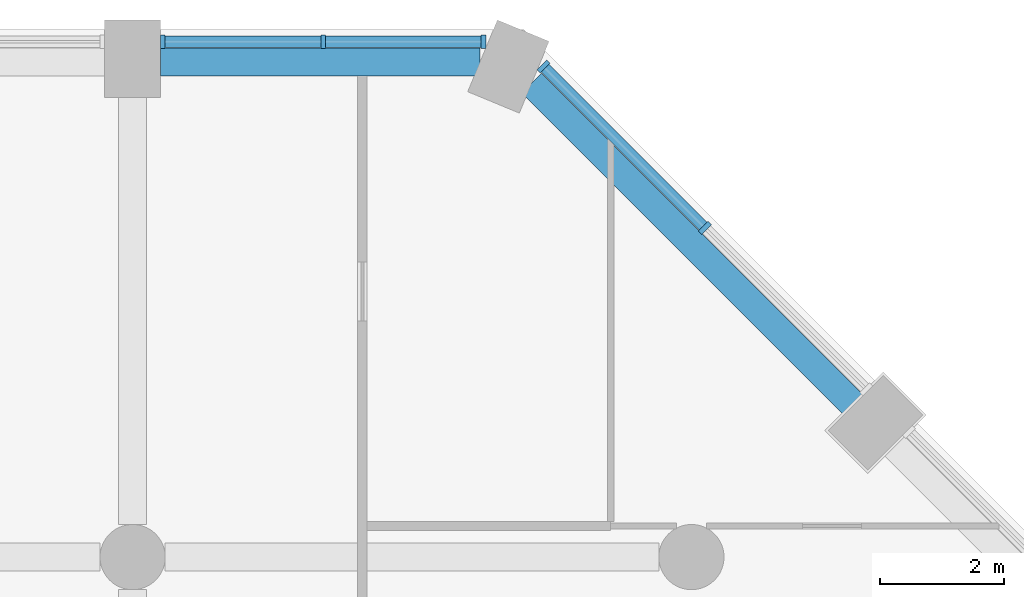
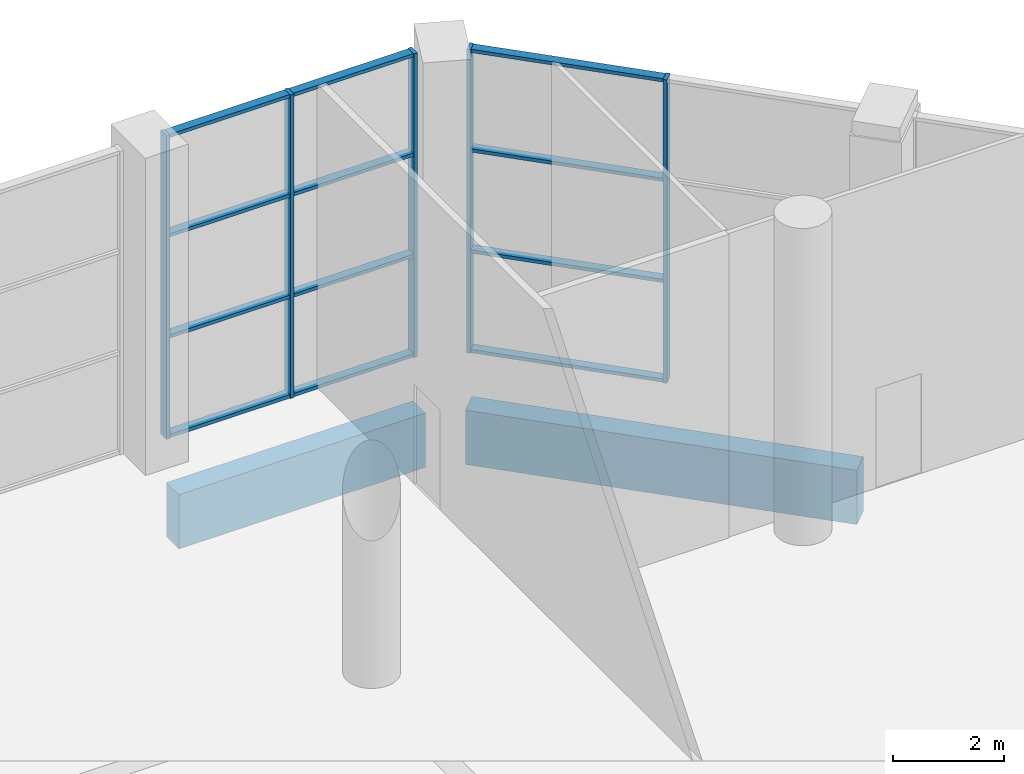
# One storey, part 8 of 22: 17 members, 2 beams, 2 elements without a shape of their own.
"""IFC4 building model written with IfcOpenShell, lengths in metres."""

from ifc_helpers import new_model, si_unit, direction, frame, origin, origin_2d, place, context, subcontext, project, spatial, rectangle, extrude, material, material_profile, profile_set, type_object, element, aggregate, save


model = new_model("IFC4")

# Units and contexts
model_context = context("Model", 3, precision=1e-05, world=origin(), true_north=direction((0.0, 1.0)))
body_context = subcontext(model_context, "Body", "Model", "MODEL_VIEW")
ifc_project = project(units=[si_unit("LENGTHUNIT", "METRE"), si_unit("AREAUNIT", "SQUARE_METRE"), si_unit("VOLUMEUNIT", "CUBIC_METRE"), si_unit("PLANEANGLEUNIT", "RADIAN"), si_unit("MASSUNIT", "GRAM", prefix="KILO")], contexts=[model_context])

# Site, building, storey
site_placement = place(None, origin())
site = spatial("IfcSite", under=ifc_project, at=site_placement, CompositionType="ELEMENT")
building_placement = place(site_placement, origin())
building = spatial("IfcBuilding", under=site, at=building_placement, Name="Cypress Arch Tower", CompositionType="ELEMENT")
storey_placement = place(building_placement, frame((0.0, 0.0, 145.5)))
storey = spatial("IfcBuildingStorey", under=building, at=storey_placement, Name="L32", CompositionType="ELEMENT", Elevation=145.5)

# Curtain wall, members
ifc_material_1 = material(Name="Anodised aluminium, bronze finish, solar control laminated double glazing", Category="aluminium")
curtain_wall_type = type_object("IfcCurtainWallType", Name="Curtain wall CW3 sky lobby glazing", PredefinedType="NOTDEFINED", material=ifc_material_1)
curtain_wall_1_placement = place(storey_placement, origin())
curtain_wall_1 = element("IfcCurtainWall", 1, at=curtain_wall_1_placement, inside=storey, type_object=curtain_wall_type, Name="Curtain wall L32 A07.1.1", PredefinedType="NOTDEFINED")
ifc_material_2 = material(Name="Anodised aluminium, bronze finish", Category="aluminium")
ifc_material_profile_1 = material_profile(ifc_material_2, rectangle(XDim=0.219970703125, YDim=0.074951171875, at=origin_2d()), Name="Mullion 75x220")
ifc_profile_set_1 = profile_set([ifc_material_profile_1], Name="Anodised aluminium, bronze finish")
member_type_1 = type_object("IfcMemberType", Name="Mullion CW3 75x220", PredefinedType="MULLION", material=ifc_profile_set_1)
member_1_placement = place(storey_placement, frame((15.515625, 22.801513671875, 0.0), z_axis=(0.0, 0.0, 1.0), x_axis=(-0.70710671384, -0.707106848533, 0.0)))
member_1 = element("IfcMember", 2, at=member_1_placement, type_object=member_type_1, Name="CW3 mullion 2", PredefinedType="MULLION", context=body_context, shape_type="SweptSolid", body=[
    extrude(rectangle(XDim=0.219970703125, YDim=0.074951171875, at=origin_2d()), origin(), (0.0, 0.0, 1.0), 6.699951171875),
])
member_2_placement = place(storey_placement, frame((12.91748046875, 25.39990234375, 0.0), z_axis=(0.0, 0.0, 1.0), x_axis=(-0.70710671384, -0.707106848533, 0.0)))
member_2 = element("IfcMember", 3, at=member_2_placement, type_object=member_type_1, Name="CW3 mullion 3", PredefinedType="MULLION", context=body_context, shape_type="SweptSolid", body=[
    extrude(rectangle(XDim=0.219970703125, YDim=0.074951171875, at=origin_2d()), origin(), (0.0, 0.0, 1.0), 6.699951171875),
])

curtain_wall_2_placement = place(storey_placement, origin())
curtain_wall_2 = element("IfcCurtainWall", 4, at=curtain_wall_2_placement, inside=storey, type_object=curtain_wall_type, Name="Curtain wall L32 A08.0.1", PredefinedType="NOTDEFINED")
member_3_placement = place(storey_placement, frame((11.951171875, 25.800048828125, 0.0), z_axis=(0.0, 0.0, 1.0), x_axis=(0.0, -1.0, 0.0)))
member_3 = element("IfcMember", 5, at=member_3_placement, type_object=member_type_1, Name="CW3 mullion 1", PredefinedType="MULLION", context=body_context, shape_type="SweptSolid", body=[
    extrude(rectangle(XDim=0.219970703125, YDim=0.074951171875, at=origin_2d()), origin(), (0.0, 0.0, 1.0), 6.699951171875),
])
member_4_placement = place(storey_placement, frame((9.369384765625, 25.800048828125, 0.0), z_axis=(0.0, 0.0, 1.0), x_axis=(0.0, -1.0, 0.0)))
member_4 = element("IfcMember", 6, at=member_4_placement, type_object=member_type_1, Name="CW3 mullion 2", PredefinedType="MULLION", context=body_context, shape_type="SweptSolid", body=[
    extrude(rectangle(XDim=0.219970703125, YDim=0.074951171875, at=origin_2d()), origin(), (0.0, 0.0, 1.0), 6.699951171875),
])
member_5_placement = place(storey_placement, frame((6.78759765625, 25.800048828125, 0.0), z_axis=(0.0, 0.0, 1.0), x_axis=(0.0, -1.0, 0.0)))
member_5 = element("IfcMember", 7, at=member_5_placement, type_object=member_type_1, Name="CW3 mullion 3", PredefinedType="MULLION", context=body_context, shape_type="SweptSolid", body=[
    extrude(rectangle(XDim=0.219970703125, YDim=0.074951171875, at=origin_2d()), origin(), (0.0, 0.0, 1.0), 6.699951171875),
])

# Beams
ifc_material_3 = material(Name="Concrete C50/60", Category="concrete")
ifc_material_profile_2 = material_profile(ifc_material_3, rectangle(XDim=0.449951171875, YDim=1.199951171875, at=origin_2d()), Name="RC 450x1200")
ifc_profile_set_2 = profile_set([ifc_material_profile_2], Name="Concrete C50/60")
beam_type = type_object("IfcBeamType", Name="Spandrel beam RC 450x1200 Concrete C50/60", PredefinedType="SPANDREL", material=ifc_profile_set_2)
beam_1_placement = place(storey_placement, frame((17.91064453125, 19.947021484375, -1.550048828125), z_axis=(-0.707106781187, 0.707106781187, 0.0), x_axis=(-0.707106781187, -0.707106781187, 0.0)))
element("IfcBeam", 8, at=beam_1_placement, inside=storey, type_object=beam_type, Name="Spandrel beam L32 BA07-1", PredefinedType="SPANDREL", context=body_context, shape_type="SweptSolid", body=[
    extrude(rectangle(XDim=0.449951171875, YDim=1.199951171875, at=origin_2d()), origin(), (0.0, 0.0, 1.0), 7.330810546875),
])
beam_2_placement = place(storey_placement, frame((11.8955078125, 25.47509765625, -1.550048828125), z_axis=(-1.0, 0.0, 0.0), x_axis=(0.0, -1.0, 0.0)))
element("IfcBeam", 9, at=beam_2_placement, inside=storey, type_object=beam_type, Name="Spandrel beam L32 BA08-0", PredefinedType="SPANDREL", context=body_context, shape_type="SweptSolid", body=[
    extrude(rectangle(XDim=0.449951171875, YDim=1.199951171875, at=origin_2d()), origin(), (0.0, 0.0, 1.0), 5.1455078125),
])

# Member
ifc_material_4 = material(Name="Anodised aluminium, bronze finish", Category="aluminium")
ifc_material_profile_3 = material_profile(ifc_material_4, rectangle(XDim=0.179931640625, YDim=0.074951171875, at=origin_2d()), Name="Transom 75x180")
ifc_profile_set_3 = profile_set([ifc_material_profile_3], Name="Anodised aluminium, bronze finish")
member_type_2 = type_object("IfcMemberType", Name="Transom CW3 75x180", PredefinedType="USERDEFINED", material=ifc_profile_set_3)
member_6_placement = place(storey_placement, frame((15.489013671875, 22.828125, 0.03759765625), z_axis=(-0.707106781187, 0.707106781187, 0.0), x_axis=(-0.707106781187, -0.707106781187, 0.0)))
member_6 = element("IfcMember", 10, at=member_6_placement, type_object=member_type_2, Name="CW3 transom 2.1", ObjectType="TRANSOM", PredefinedType="USERDEFINED", context=body_context, shape_type="SweptSolid", body=[
    extrude(rectangle(XDim=0.179931640625, YDim=0.074951171875, at=origin_2d()), origin(), (0.0, 0.0, 1.0), 3.599365234375),
])

member_7_placement = place(storey_placement, frame((15.489013671875, 22.828125, 2.2333984375), z_axis=(-0.707106781187, 0.707106781187, 0.0), x_axis=(-0.707106781187, -0.707106781187, 0.0)))
member_7 = element("IfcMember", 11, at=member_7_placement, type_object=member_type_2, Name="CW3 transom 2.2", ObjectType="TRANSOM", PredefinedType="USERDEFINED", context=body_context, shape_type="SweptSolid", body=[
    extrude(rectangle(XDim=0.179931640625, YDim=0.074951171875, at=origin_2d()), origin(), (0.0, 0.0, 1.0), 3.599365234375),
])

member_8_placement = place(storey_placement, frame((15.489013671875, 22.828125, 4.466552734375), z_axis=(-0.707106781187, 0.707106781187, 0.0), x_axis=(-0.707106781187, -0.707106781187, 0.0)))
member_8 = element("IfcMember", 12, at=member_8_placement, type_object=member_type_2, Name="CW3 transom 2.3", ObjectType="TRANSOM", PredefinedType="USERDEFINED", context=body_context, shape_type="SweptSolid", body=[
    extrude(rectangle(XDim=0.179931640625, YDim=0.074951171875, at=origin_2d()), origin(), (0.0, 0.0, 1.0), 3.599365234375),
])

member_9_placement = place(storey_placement, frame((15.489013671875, 22.828125, 6.66259765625), z_axis=(-0.707106781187, 0.707106781187, 0.0), x_axis=(-0.707106781187, -0.707106781187, 0.0)))
member_9 = element("IfcMember", 13, at=member_9_placement, type_object=member_type_2, Name="CW3 transom 2.4", ObjectType="TRANSOM", PredefinedType="USERDEFINED", context=body_context, shape_type="SweptSolid", body=[
    extrude(rectangle(XDim=0.179931640625, YDim=0.074951171875, at=origin_2d()), origin(), (0.0, 0.0, 1.0), 3.599365234375),
])

aggregate(curtain_wall_1, [member_1, member_2, member_6, member_7, member_8, member_9])

member_10_placement = place(storey_placement, frame((11.91357421875, 25.800048828125, 0.03759765625), z_axis=(-1.0, 0.0, 0.0), x_axis=(0.0, -1.0, 0.0)))
member_10 = element("IfcMember", 14, at=member_10_placement, type_object=member_type_2, Name="CW3 transom 1.1", ObjectType="TRANSOM", PredefinedType="USERDEFINED", context=body_context, shape_type="SweptSolid", body=[
    extrude(rectangle(XDim=0.179931640625, YDim=0.074951171875, at=origin_2d()), origin(), (0.0, 0.0, 1.0), 2.5068359375),
])

member_11_placement = place(storey_placement, frame((11.91357421875, 25.800048828125, 2.2333984375), z_axis=(-1.0, 0.0, 0.0), x_axis=(0.0, -1.0, 0.0)))
member_11 = element("IfcMember", 15, at=member_11_placement, type_object=member_type_2, Name="CW3 transom 1.2", ObjectType="TRANSOM", PredefinedType="USERDEFINED", context=body_context, shape_type="SweptSolid", body=[
    extrude(rectangle(XDim=0.179931640625, YDim=0.074951171875, at=origin_2d()), origin(), (0.0, 0.0, 1.0), 2.5068359375),
])

member_12_placement = place(storey_placement, frame((11.91357421875, 25.800048828125, 4.466552734375), z_axis=(-1.0, 0.0, 0.0), x_axis=(0.0, -1.0, 0.0)))
member_12 = element("IfcMember", 16, at=member_12_placement, type_object=member_type_2, Name="CW3 transom 1.3", ObjectType="TRANSOM", PredefinedType="USERDEFINED", context=body_context, shape_type="SweptSolid", body=[
    extrude(rectangle(XDim=0.179931640625, YDim=0.074951171875, at=origin_2d()), origin(), (0.0, 0.0, 1.0), 2.5068359375),
])

member_13_placement = place(storey_placement, frame((11.91357421875, 25.800048828125, 6.66259765625), z_axis=(-1.0, 0.0, 0.0), x_axis=(0.0, -1.0, 0.0)))
member_13 = element("IfcMember", 17, at=member_13_placement, type_object=member_type_2, Name="CW3 transom 1.4", ObjectType="TRANSOM", PredefinedType="USERDEFINED", context=body_context, shape_type="SweptSolid", body=[
    extrude(rectangle(XDim=0.179931640625, YDim=0.074951171875, at=origin_2d()), origin(), (0.0, 0.0, 1.0), 2.5068359375),
])

member_14_placement = place(storey_placement, frame((9.331787109375, 25.800048828125, 0.03759765625), z_axis=(-1.0, 0.0, 0.0), x_axis=(0.0, -1.0, 0.0)))
member_14 = element("IfcMember", 18, at=member_14_placement, type_object=member_type_2, Name="CW3 transom 2.1", ObjectType="TRANSOM", PredefinedType="USERDEFINED", context=body_context, shape_type="SweptSolid", body=[
    extrude(rectangle(XDim=0.179931640625, YDim=0.074951171875, at=origin_2d()), origin(), (0.0, 0.0, 1.0), 2.5068359375),
])

member_15_placement = place(storey_placement, frame((9.331787109375, 25.800048828125, 2.2333984375), z_axis=(-1.0, 0.0, 0.0), x_axis=(0.0, -1.0, 0.0)))
member_15 = element("IfcMember", 19, at=member_15_placement, type_object=member_type_2, Name="CW3 transom 2.2", ObjectType="TRANSOM", PredefinedType="USERDEFINED", context=body_context, shape_type="SweptSolid", body=[
    extrude(rectangle(XDim=0.179931640625, YDim=0.074951171875, at=origin_2d()), origin(), (0.0, 0.0, 1.0), 2.5068359375),
])

member_16_placement = place(storey_placement, frame((9.331787109375, 25.800048828125, 4.466552734375), z_axis=(-1.0, 0.0, 0.0), x_axis=(0.0, -1.0, 0.0)))
member_16 = element("IfcMember", 20, at=member_16_placement, type_object=member_type_2, Name="CW3 transom 2.3", ObjectType="TRANSOM", PredefinedType="USERDEFINED", context=body_context, shape_type="SweptSolid", body=[
    extrude(rectangle(XDim=0.179931640625, YDim=0.074951171875, at=origin_2d()), origin(), (0.0, 0.0, 1.0), 2.5068359375),
])

member_17_placement = place(storey_placement, frame((9.331787109375, 25.800048828125, 6.66259765625), z_axis=(-1.0, 0.0, 0.0), x_axis=(0.0, -1.0, 0.0)))
member_17 = element("IfcMember", 21, at=member_17_placement, type_object=member_type_2, Name="CW3 transom 2.4", ObjectType="TRANSOM", PredefinedType="USERDEFINED", context=body_context, shape_type="SweptSolid", body=[
    extrude(rectangle(XDim=0.179931640625, YDim=0.074951171875, at=origin_2d()), origin(), (0.0, 0.0, 1.0), 2.5068359375),
])

aggregate(curtain_wall_2, [member_3, member_4, member_5, member_10, member_11, member_12, member_13, member_14, member_15, member_16, member_17])

save(model, "model.ifc")
